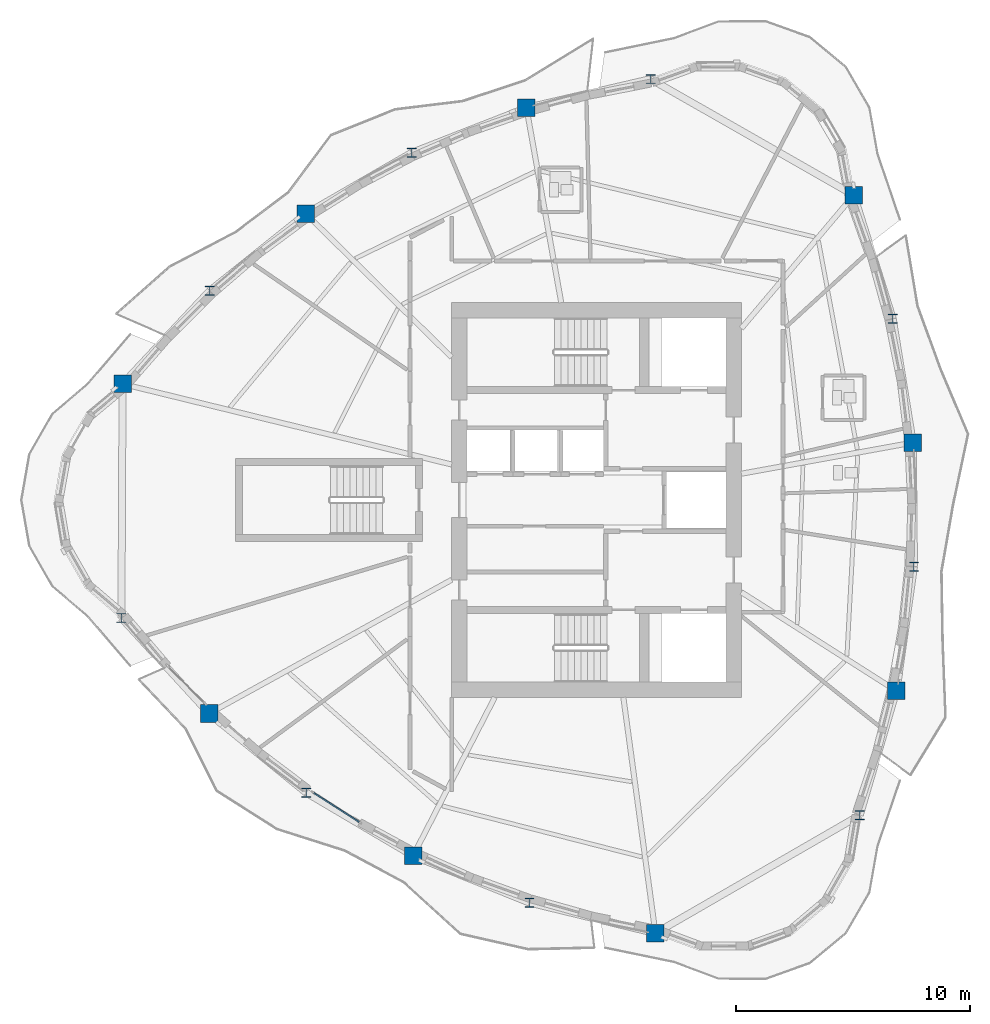
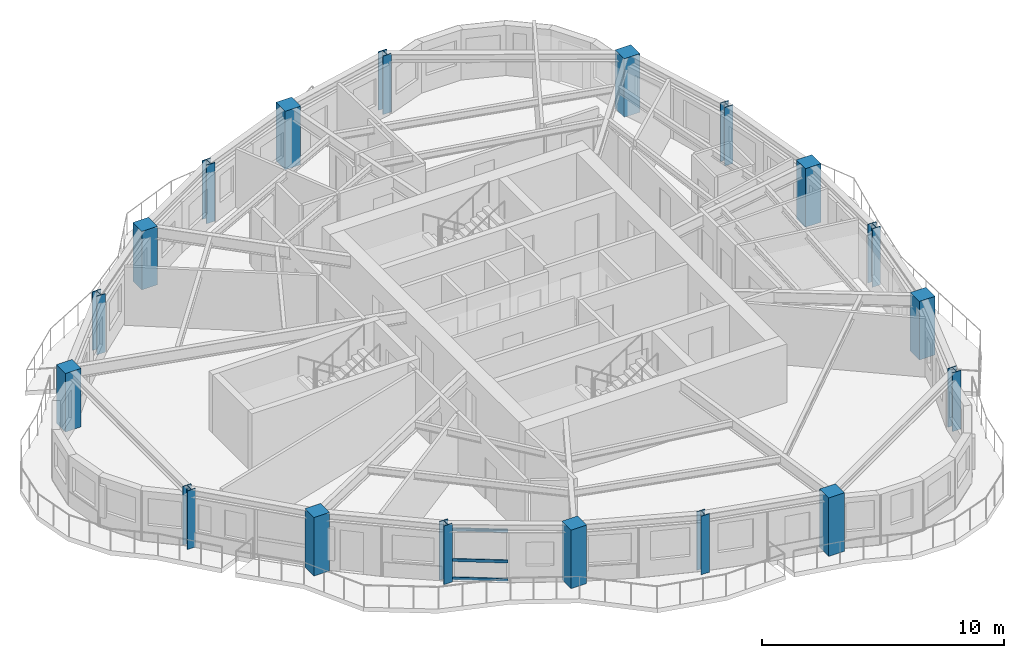
# One storey, part 1 of 13: 18 columns, 3 members, 1 element without a shape of its own.
"""IFC4 building model written with IfcOpenShell, lengths in metres."""

from ifc_helpers import new_model, si_unit, direction, frame, origin, origin_2d, place, context, subcontext, project, spatial, rectangle, i_section, extrude, source, transform, mapped, material, layer, layer_set, material_profile, profile_set, type_object, element, aggregate, save


model = new_model("IFC4")

# Units and contexts
model_context = context("Model", 3, precision=1e-05, world=origin(), true_north=direction((0.0, 1.0)))
body_context = subcontext(model_context, "Body", "Model", "MODEL_VIEW")
ifc_project = project(units=[si_unit("LENGTHUNIT", "METRE"), si_unit("AREAUNIT", "SQUARE_METRE"), si_unit("VOLUMEUNIT", "CUBIC_METRE"), si_unit("PLANEANGLEUNIT", "RADIAN"), si_unit("MASSUNIT", "GRAM", prefix="KILO")], contexts=[model_context])

# Site, building, storey
site_placement = place(None, origin())
site = spatial("IfcSite", under=ifc_project, at=site_placement, CompositionType="ELEMENT")
building_placement = place(site_placement, origin())
building = spatial("IfcBuilding", under=site, at=building_placement, Name="Qafzar Sky-Pleat Residences", CompositionType="ELEMENT")
storey_placement = place(building_placement, frame((0.0, 0.0, 133.0)))
storey = spatial("IfcBuildingStorey", under=building, at=storey_placement, Name="L39", CompositionType="ELEMENT", Elevation=133.0)

# Columns
ifc_material_1 = material(Name="Concrete C60/75", Category="concrete")
ifc_material_profile_1 = material_profile(ifc_material_1, rectangle(XDim=0.75, YDim=0.75, at=origin_2d()), Name="RC 750x750")
ifc_profile_set_1 = profile_set([ifc_material_profile_1], Name="Concrete C60/75")
column_type_1 = type_object("IfcColumnType", Name="COL-RC-750", PredefinedType="COLUMN", material=ifc_profile_set_1)
shared_shape_1 = source(origin(), body_context, "Body", "SweptSolid", [
    extrude(rectangle(XDim=0.75, YDim=0.75, at=origin_2d()), origin(), (0.0, 0.0, 1.0), 2.949951171875),
])
for number, where, z_axis, x_axis, name in (
    (1, (10.064208984375, 30.967529296875, 0.0), (0.0, 0.0, 1.0), (1.0, 0.0, 0.0), "L39 Perimeter Mega Column 1"),
    (2, (13.76708984375, 16.86181640625, 0.0), (0.0, 0.0, 1.0), (1.0, 0.0, 0.0), "L39 Perimeter Mega Column 3"),
    (3, (22.499755859375, 10.770263671875, 0.0), (0.0, 0.0, 1.0), (1.0, 0.0, 0.0), "L39 Perimeter Mega Column 5"),
    (4, (32.873291015625, 7.458251953125, 0.0), (0.0, 0.0, 1.0), (1.0, 0.0, 0.0), "L39 Perimeter Mega Column 7"),
    (5, (43.18359375, 17.83251953125, 0.0), (0.0, 0.0, 1.0), (1.0, 0.0, 0.0), "L39 Perimeter Mega Column 9"),
    (6, (43.88818359375, 28.45654296875, 0.0), (0.0, 0.0, 1.0), (1.0, 0.0, 0.0), "L39 Perimeter Mega Column 11"),
    (7, (41.365478515625, 39.049560546875, 0.0), (0.0, 0.0, 1.0), (1.0, 0.0, 0.0), "L39 Perimeter Mega Column 13"),
    (8, (27.352294921875, 42.781005859375, 0.0), (0.0, 0.0, 1.0), (1.0, 0.0, 0.0), "L39 Perimeter Mega Column 15"),
    (9, (17.914794921875, 38.24853515625, 0.0), (0.0, 0.0, 1.0), (1.0, 0.0, 0.0), "L39 Perimeter Mega Column 17"),
):
    element("IfcColumn", number, at=place(storey_placement, frame(where, z_axis=z_axis, x_axis=x_axis)), inside=storey, type_object=column_type_1, Name=name, PredefinedType="COLUMN", context=body_context, shape_type="MappedRepresentation", body=[
        mapped(shared_shape_1, transform((0.0, 0.0, 0.0), x_axis=(1.0, 0.0, 0.0), y_axis=(0.0, 1.0, 0.0), z_axis=(0.0, 0.0, 1.0), scale=1.0)),
    ])
ifc_material_2 = material(Name="Steel S355", Category="steel")
ifc_material_profile_2 = material_profile(ifc_material_2, i_section(OverallWidth=0.40087890625, OverallDepth=0.39892578125, WebThickness=0.02294921875, FlangeThickness=0.035888671875, FilletRadius=0.014892578125, at=origin_2d()), Name="HD 400x314")
ifc_profile_set_2 = profile_set([ifc_material_profile_2], Name="Steel S355")
column_type_2 = type_object("IfcColumnType", Name="COL-STL-HD314", PredefinedType="PILASTER", material=ifc_profile_set_2)
shared_shape_2 = source(origin(), body_context, "Body", "SweptSolid", [
    extrude(i_section(OverallWidth=0.40087890625, OverallDepth=0.39892578125, WebThickness=0.02294921875, FlangeThickness=0.035888671875, FilletRadius=0.014892578125, at=origin_2d()), origin(), (0.0, 0.0, 1.0), 2.949951171875),
])
for number, where, z_axis, x_axis, name in (
    (10, (10.015869140625, 20.94970703125, 0.0), (0.0, 0.0, 1.0), (1.0, 0.0, 0.0), "L39 Perimeter Mega Column 2"),
    (11, (17.928466796875, 13.468505859375, 0.0), (0.0, 0.0, 1.0), (1.0, 0.0, 0.0), "L39 Perimeter Mega Column 4"),
    (12, (27.4814453125, 8.766845703125, 0.0), (0.0, 0.0, 1.0), (1.0, 0.0, 0.0), "L39 Perimeter Mega Column 6"),
    (13, (41.62109375, 12.5087890625, 0.0), (0.0, 0.0, 1.0), (1.0, 0.0, 0.0), "L39 Perimeter Mega Column 8"),
    (14, (43.939453125, 23.1484375, 0.0), (0.0, 0.0, 1.0), (1.0, 0.0, 0.0), "L39 Perimeter Mega Column 10"),
    (15, (43.030517578125, 33.757080078125, 0.0), (0.0, 0.0, 1.0), (1.0, 0.0, 0.0), "L39 Perimeter Mega Column 12"),
    (16, (32.666015625, 44.0166015625, 0.0), (0.0, 0.0, 1.0), (1.0, 0.0, 0.0), "L39 Perimeter Mega Column 14"),
    (17, (22.43505859375, 40.8583984375, 0.0), (0.0, 0.0, 1.0), (1.0, 0.0, 0.0), "L39 Perimeter Mega Column 16"),
    (18, (13.791015625, 34.95166015625, 0.0), (0.0, 0.0, 1.0), (1.0, 0.0, 0.0), "L39 Perimeter Mega Column 18"),
):
    element("IfcColumn", number, at=place(storey_placement, frame(where, z_axis=z_axis, x_axis=x_axis)), inside=storey, type_object=column_type_2, Name=name, PredefinedType="PILASTER", context=body_context, shape_type="MappedRepresentation", body=[
        mapped(shared_shape_2, transform((0.0, 0.0, 0.0), x_axis=(1.0, 0.0, 0.0), y_axis=(0.0, 1.0, 0.0), z_axis=(0.0, 0.0, 1.0), scale=1.0)),
    ])

# Curtain wall, members
ifc_material_3 = material(Name="Anodised bronze aluminium framing", Category="aluminium")
ifc_layer = layer(ifc_material_3, 0.199951171875)
ifc_layer_set = layer_set([ifc_layer], Name="Anodised bronze aluminium framing")
curtain_wall_type = type_object("IfcCurtainWallType", Name="CW-SYS-04", PredefinedType="NOTDEFINED", material=ifc_layer_set)
curtain_wall_placement = place(storey_placement, origin())
curtain_wall = element("IfcCurtainWall", 19, at=curtain_wall_placement, inside=storey, type_object=curtain_wall_type, Name="L39 CW-04 Curtain Wall CW-L39-WG-06", PredefinedType="NOTDEFINED")
ifc_material_4 = material(Name="Anodised bronze aluminium", Category="aluminium")
ifc_material_profile_3 = material_profile(ifc_material_4, rectangle(XDim=0.06494140625, YDim=0.14990234375, at=origin_2d()), Name="ALU TRANSOM 65x150")
ifc_profile_set_3 = profile_set([ifc_material_profile_3], Name="Anodised bronze aluminium")
member_type = type_object("IfcMemberType", Name="CWT-04", PredefinedType="USERDEFINED", material=ifc_profile_set_3)
shared_shape_3 = source(origin(), body_context, "Body", "SweptSolid", [
    extrude(rectangle(XDim=0.06494140625, YDim=0.14990234375, at=origin_2d()), origin(), (0.0, 0.0, 1.0), 2.28564453125),
])
member_1_placement = place(storey_placement, frame((18.260498046875, 13.457275390625, 0.032470703125), z_axis=(0.841202769192, -0.540719799067, 0.0), x_axis=(0.540719799067, 0.841202769192, 0.0)))
member_1 = element("IfcMember", 20, at=member_1_placement, type_object=member_type, Name="CW-04 transom 1.1", ObjectType="TRANSOM", PredefinedType="USERDEFINED", context=body_context, shape_type="MappedRepresentation", body=[
    mapped(shared_shape_3, transform((0.0, 0.0, 0.0), x_axis=(1.0, 0.0, 0.0), y_axis=(0.0, 1.0, 0.0), z_axis=(0.0, 0.0, 1.0), scale=1.0)),
])
member_2_placement = place(storey_placement, frame((18.260498046875, 13.457275390625, 0.96142578125), z_axis=(0.841202769192, -0.540719799067, 0.0), x_axis=(0.540719799067, 0.841202769192, 0.0)))
member_2 = element("IfcMember", 21, at=member_2_placement, type_object=member_type, Name="CW-04 transom 1.2", ObjectType="TRANSOM", PredefinedType="USERDEFINED", context=body_context, shape_type="MappedRepresentation", body=[
    mapped(shared_shape_3, transform((0.0, 0.0, 0.0), x_axis=(1.0, 0.0, 0.0), y_axis=(0.0, 1.0, 0.0), z_axis=(0.0, 0.0, 1.0), scale=1.0)),
])
member_3_placement = place(storey_placement, frame((18.260498046875, 13.457275390625, 2.49755859375), z_axis=(0.841202769192, -0.540719799067, 0.0), x_axis=(0.540719799067, 0.841202769192, 0.0)))
member_3 = element("IfcMember", 22, at=member_3_placement, type_object=member_type, Name="CW-04 transom 1.3", ObjectType="TRANSOM", PredefinedType="USERDEFINED", context=body_context, shape_type="MappedRepresentation", body=[
    mapped(shared_shape_3, transform((0.0, 0.0, 0.0), x_axis=(1.0, 0.0, 0.0), y_axis=(0.0, 1.0, 0.0), z_axis=(0.0, 0.0, 1.0), scale=1.0)),
])
aggregate(curtain_wall, [member_1, member_2, member_3])

save(model, "model.ifc")
